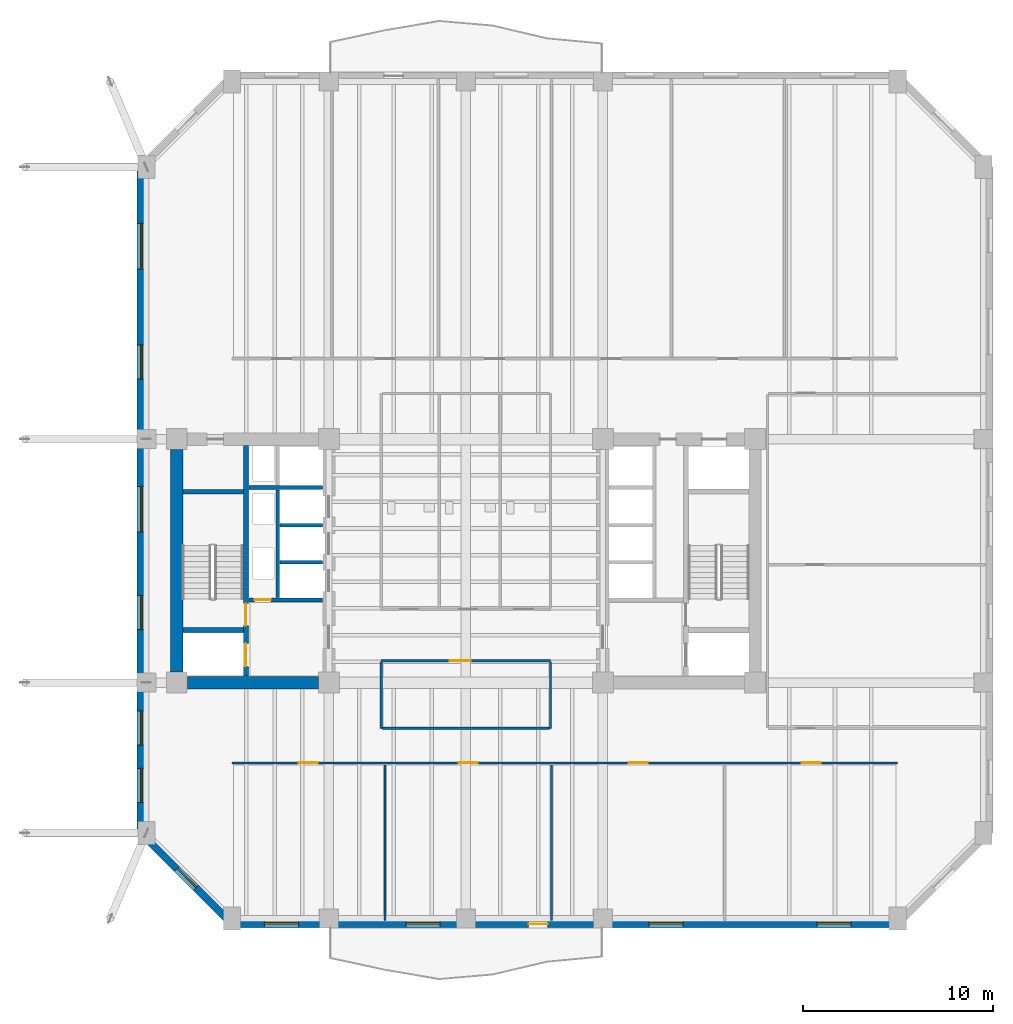
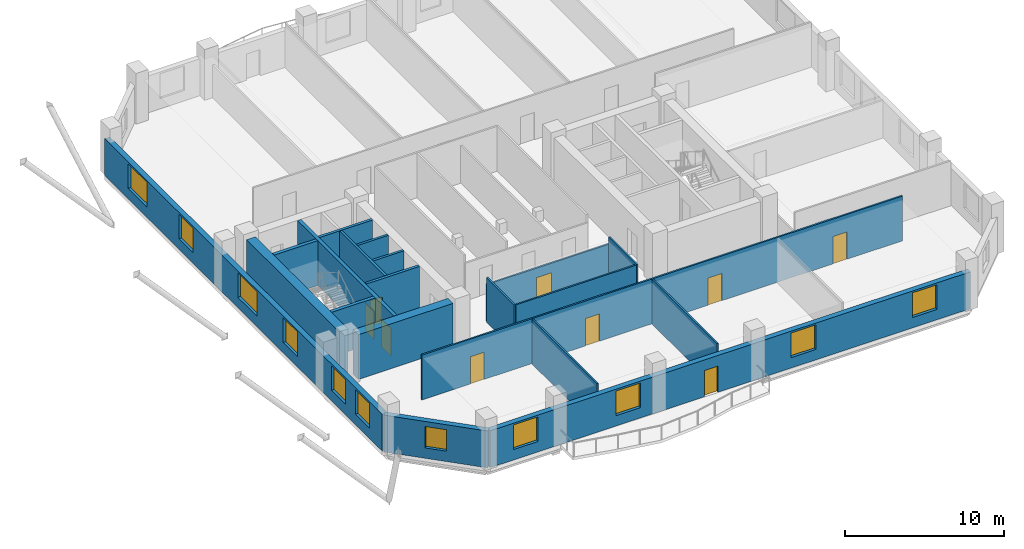
# One storey, part 5 of 12: 20 walls, 11 windows, 9 doors, 20 openings.
"""IFC4 building model written with IfcOpenShell, lengths in metres."""

from ifc_helpers import new_model, si_unit, direction, frame, frame_2d, origin, place, context, subcontext, project, spatial, rectangle, extrude, material, layer, layer_set, type_object, element, fill, save


model = new_model("IFC4")

# Units and contexts
model_context = context("Model", 3, precision=1e-05, world=origin(), true_north=direction((0.0, 1.0)))
body_context = subcontext(model_context, "Body", "Model", "MODEL_VIEW")
ifc_project = project(units=[si_unit("LENGTHUNIT", "METRE"), si_unit("AREAUNIT", "SQUARE_METRE"), si_unit("VOLUMEUNIT", "CUBIC_METRE"), si_unit("PLANEANGLEUNIT", "RADIAN"), si_unit("MASSUNIT", "GRAM", prefix="KILO")], contexts=[model_context])

# Site, building, storey
site_placement = place(None, origin())
site = spatial("IfcSite", under=ifc_project, at=site_placement, CompositionType="ELEMENT")
building_placement = place(site_placement, origin())
building = spatial("IfcBuilding", under=site, at=building_placement, Name="Kranthara Brick Stack", CompositionType="ELEMENT")
storey_placement = place(building_placement, frame((0.0, 0.0, 90.60009765625)))
storey = spatial("IfcBuildingStorey", under=building, at=storey_placement, Name="L22", CompositionType="ELEMENT", Elevation=90.60009765625)

# Wall, openings, door, windows
ifc_material_1 = material(Name="Kiln-fired clay brick masonry M15", Category="masonry")
ifc_layer_1 = layer(ifc_material_1, 0.3798828125)
ifc_layer_set_1 = layer_set([ifc_layer_1], Name="Kiln-fired clay brick masonry M15")
wall_type_1 = type_object("IfcWallType", Name="WL-BRK-PIER-380", PredefinedType="STANDARD", material=ifc_layer_set_1)
wall_1_placement = place(storey_placement, frame((50.699951171875, 8.110107421875, 0.0), z_axis=(0.0, 0.0, 1.0), x_axis=(-1.0, 0.0, 0.0)))
wall_1 = element("IfcWall", 1, at=wall_1_placement, inside=storey, type_object=wall_type_1, Name="L22 Exterior Brick Facade Wall SOUTH 1", PredefinedType="STANDARD", context=body_context, shape_type="SweptSolid", body=[
    extrude(rectangle(XDim=35.0, YDim=0.3798828125, at=frame_2d((17.5, 0.0))), origin(), (0.0, 0.0, 1.0), 2.8349609375),
])
opening_1_placement = place(wall_1_placement, frame((18.39990234375, 0.0, 0.0)))
opening_1 = element("IfcOpeningElement", 2, at=opening_1_placement, cuts=wall_1, Name="Opening D03", PredefinedType="OPENING", context=body_context, shape_type="SweptSolid", body=[
    extrude(rectangle(XDim=1.0, YDim=2.02001953125, at=frame_2d((0.5, 1.010009765625))), frame((0.0, 0.199951171875, 0.0), z_axis=(0.0, -1.0, 0.0), x_axis=(1.0, 0.0, 0.0)), (0.0, 0.0, 1.0), 0.39990234375),
])
opening_2_placement = place(wall_1_placement, frame((2.449951171875, 0.0, 0.800048828125)))
opening_2 = element("IfcOpeningElement", 3, at=opening_2_placement, cuts=wall_1, Name="Opening WN01", PredefinedType="OPENING", context=body_context, shape_type="SweptSolid", body=[
    extrude(rectangle(XDim=1.800048828125, YDim=1.89990234375, at=frame_2d((0.89990234375, 0.949951171875))), frame((0.0, 0.199951171875, 0.0), z_axis=(0.0, -1.0, 0.0), x_axis=(1.0, 0.0, 0.0)), (0.0, 0.0, 1.0), 0.39990234375),
])
opening_3_placement = place(wall_1_placement, frame((11.27490234375, 0.0, 0.800048828125)))
opening_3 = element("IfcOpeningElement", 4, at=opening_3_placement, cuts=wall_1, Name="Opening WN01", PredefinedType="OPENING", context=body_context, shape_type="SweptSolid", body=[
    extrude(rectangle(XDim=1.800048828125, YDim=1.89990234375, at=frame_2d((0.89990234375, 0.949951171875))), frame((0.0, 0.199951171875, 0.0), z_axis=(0.0, -1.0, 0.0), x_axis=(1.0, 0.0, 0.0)), (0.0, 0.0, 1.0), 0.39990234375),
])
opening_4_placement = place(wall_1_placement, frame((24.050048828125, 0.0, 0.800048828125)))
opening_4 = element("IfcOpeningElement", 5, at=opening_4_placement, cuts=wall_1, Name="Opening WN01", PredefinedType="OPENING", context=body_context, shape_type="SweptSolid", body=[
    extrude(rectangle(XDim=1.800048828125, YDim=1.89990234375, at=frame_2d((0.89990234375, 0.949951171875))), frame((0.0, 0.199951171875, 0.0), z_axis=(0.0, -1.0, 0.0), x_axis=(1.0, 0.0, 0.0)), (0.0, 0.0, 1.0), 0.39990234375),
])
opening_5_placement = place(wall_1_placement, frame((31.5, 0.0, 0.800048828125)))
opening_5 = element("IfcOpeningElement", 6, at=opening_5_placement, cuts=wall_1, Name="Opening WN01", PredefinedType="OPENING", context=body_context, shape_type="SweptSolid", body=[
    extrude(rectangle(XDim=1.800048828125, YDim=1.89990234375, at=frame_2d((0.89990234375, 0.949951171875))), frame((0.0, 0.199951171875, 0.0), z_axis=(0.0, -1.0, 0.0), x_axis=(1.0, 0.0, 0.0)), (0.0, 0.0, 1.0), 0.39990234375),
])
ifc_material_2 = material(Name="Bronze anodised aluminium and laminated glass", Category="aluminium")
door_type_1 = type_object("IfcDoorType", Name="DR-BALC-1000", OperationType="NOTDEFINED", PredefinedType="DOOR", material=ifc_material_2)
door_1_placement = place(opening_1_placement, origin())
door_1 = element("IfcDoor", 7, at=door_1_placement, inside=storey, type_object=door_type_1, Name="L22 South Balcony Terrace Door", OperationType="SINGLE_SWING_LEFT", OverallHeight=2.02001953125, OverallWidth=1.0, PredefinedType="DOOR", context=body_context, shape_type="SweptSolid", body=[
    extrude(rectangle(XDim=1.0, YDim=2.02001953125, at=frame_2d((0.5, 1.010009765625))), frame((0.0, 0.02490234375, 0.0), z_axis=(0.0, -1.0, 0.0), x_axis=(1.0, 0.0, 0.0)), (0.0, 0.0, 1.0), 0.050048828125),
])
fill(opening_1, door_1)
ifc_material_3 = material(Name="Double-glazed low-E solar control glass", Category="glass")
window_type_1 = type_object("IfcWindowType", Name="WN-OFF-1800x2000", PartitioningType="SINGLE_PANEL", PredefinedType="WINDOW", material=ifc_material_3)
window_1_placement = place(opening_2_placement, origin())
window_1 = element("IfcWindow", 8, at=window_1_placement, inside=storey, type_object=window_type_1, Name="L22 South Deep-Set Brick Window 01", OverallHeight=1.89990234375, OverallWidth=1.800048828125, PartitioningType="SINGLE_PANEL", PredefinedType="WINDOW", context=body_context, shape_type="SweptSolid", body=[
    extrude(rectangle(XDim=1.800048828125, YDim=1.89990234375, at=frame_2d((0.89990234375, 0.949951171875))), frame((0.0, -0.010009765625, 0.0), z_axis=(0.0, -1.0, 0.0), x_axis=(1.0, 0.0, 0.0)), (0.0, 0.0, 1.0), 0.06005859375),
])
fill(opening_2, window_1)
window_2_placement = place(opening_3_placement, origin())
window_2 = element("IfcWindow", 9, at=window_2_placement, inside=storey, type_object=window_type_1, Name="L22 South Deep-Set Brick Window 02", OverallHeight=1.89990234375, OverallWidth=1.800048828125, PartitioningType="SINGLE_PANEL", PredefinedType="WINDOW", context=body_context, shape_type="SweptSolid", body=[
    extrude(rectangle(XDim=1.800048828125, YDim=1.89990234375, at=frame_2d((0.89990234375, 0.949951171875))), frame((0.0, -0.010009765625, 0.0), z_axis=(0.0, -1.0, 0.0), x_axis=(1.0, 0.0, 0.0)), (0.0, 0.0, 1.0), 0.06005859375),
])
fill(opening_3, window_2)
window_3_placement = place(opening_4_placement, origin())
window_3 = element("IfcWindow", 10, at=window_3_placement, inside=storey, type_object=window_type_1, Name="L22 South Deep-Set Brick Window 03", OverallHeight=1.89990234375, OverallWidth=1.800048828125, PartitioningType="SINGLE_PANEL", PredefinedType="WINDOW", context=body_context, shape_type="SweptSolid", body=[
    extrude(rectangle(XDim=1.800048828125, YDim=1.89990234375, at=frame_2d((0.89990234375, 0.949951171875))), frame((0.0, -0.010009765625, 0.0), z_axis=(0.0, -1.0, 0.0), x_axis=(1.0, 0.0, 0.0)), (0.0, 0.0, 1.0), 0.06005859375),
])
fill(opening_4, window_3)
window_4_placement = place(opening_5_placement, origin())
window_4 = element("IfcWindow", 11, at=window_4_placement, inside=storey, type_object=window_type_1, Name="L22 South Deep-Set Brick Window 04", OverallHeight=1.89990234375, OverallWidth=1.800048828125, PartitioningType="SINGLE_PANEL", PredefinedType="WINDOW", context=body_context, shape_type="SweptSolid", body=[
    extrude(rectangle(XDim=1.800048828125, YDim=1.89990234375, at=frame_2d((0.89990234375, 0.949951171875))), frame((0.0, -0.010009765625, 0.0), z_axis=(0.0, -1.0, 0.0), x_axis=(1.0, 0.0, 0.0)), (0.0, 0.0, 1.0), 0.06005859375),
])
fill(opening_5, window_4)

# Wall, opening, window
wall_2_placement = place(storey_placement, frame((15.699951171875, 8.110107421875, 0.0), z_axis=(0.0, 0.0, 1.0), x_axis=(-0.707124801467, 0.707088760447, 0.0)))
wall_2 = element("IfcWall", 12, at=wall_2_placement, inside=storey, type_object=wall_type_1, Name="L22 Exterior Brick Facade Wall SW 1", PredefinedType="STANDARD", context=body_context, shape_type="SweptSolid", body=[
    extrude(rectangle(XDim=6.77392578125, YDim=0.3798828125, at=frame_2d((3.386962890625, 0.0))), origin(), (0.0, 0.0, 1.0), 2.8349609375),
])
opening_6_placement = place(wall_2_placement, frame((2.68701171875, 0.0, 0.800048828125)))
opening_6 = element("IfcOpeningElement", 13, at=opening_6_placement, cuts=wall_2, Name="Opening WN10", PredefinedType="OPENING", context=body_context, shape_type="SweptSolid", body=[
    extrude(rectangle(XDim=1.39990234375, YDim=1.64990234375, at=frame_2d((0.699951171875, 0.824951171875))), frame((0.0, 0.199951171875, 0.0), z_axis=(0.0, -1.0, 0.0), x_axis=(1.0, 0.0, 0.0)), (0.0, 0.0, 1.0), 0.39990234375),
])
ifc_material_4 = material(Name="Double-glazed low-E solar control glass", Category="glass")
window_type_2 = type_object("IfcWindowType", Name="WN-CHM-1400x1750", PartitioningType="SINGLE_PANEL", PredefinedType="WINDOW", material=ifc_material_4)
window_5_placement = place(opening_6_placement, origin())
window_5 = element("IfcWindow", 14, at=window_5_placement, inside=storey, type_object=window_type_2, Name="L22 SW Chamfer Corner Window", OverallHeight=1.64990234375, OverallWidth=1.39990234375, PartitioningType="SINGLE_PANEL", PredefinedType="WINDOW", context=body_context, shape_type="SweptSolid", body=[
    extrude(rectangle(XDim=1.39990234375, YDim=1.64990234375, at=frame_2d((0.699951171875, 0.824951171875))), frame((0.0, -0.010009765625, 0.0), z_axis=(0.0, -1.0, 0.0), x_axis=(1.0, 0.0, 0.0)), (0.0, 0.0, 1.0), 0.06005859375),
])
fill(opening_6, window_5)

# Wall, openings, windows
wall_3_placement = place(storey_placement, frame((10.909912109375, 12.89990234375, 0.0), z_axis=(0.0, 0.0, 1.0), x_axis=(0.0, 1.0, 0.0)))
wall_3 = element("IfcWall", 15, at=wall_3_placement, inside=storey, type_object=wall_type_1, Name="L22 Exterior Brick Facade Wall WEST 1", PredefinedType="STANDARD", context=body_context, shape_type="SweptSolid", body=[
    extrude(rectangle(XDim=35.0, YDim=0.3798828125, at=frame_2d((17.5, 0.0))), origin(), (0.0, 0.0, 1.0), 2.8349609375),
])
opening_7_placement = place(wall_3_placement, frame((1.587890625, 0.0, 0.800048828125)))
opening_7 = element("IfcOpeningElement", 16, at=opening_7_placement, cuts=wall_3, Name="Opening WN01", PredefinedType="OPENING", context=body_context, shape_type="SweptSolid", body=[
    extrude(rectangle(XDim=1.800048828125, YDim=1.89990234375, at=frame_2d((0.89990234375, 0.949951171875))), frame((0.0, 0.199951171875, 0.0), z_axis=(0.0, -1.0, 0.0), x_axis=(1.0, 0.0, 0.0)), (0.0, 0.0, 1.0), 0.39990234375),
])
opening_8_placement = place(wall_3_placement, frame((4.612060546875, 0.0, 0.800048828125)))
opening_8 = element("IfcOpeningElement", 17, at=opening_8_placement, cuts=wall_3, Name="Opening WN01", PredefinedType="OPENING", context=body_context, shape_type="SweptSolid", body=[
    extrude(rectangle(XDim=1.800048828125, YDim=1.89990234375, at=frame_2d((0.89990234375, 0.949951171875))), frame((0.0, 0.199951171875, 0.0), z_axis=(0.0, -1.0, 0.0), x_axis=(1.0, 0.0, 0.0)), (0.0, 0.0, 1.0), 0.39990234375),
])
opening_9_placement = place(wall_3_placement, frame((10.68798828125, 0.0, 0.800048828125)))
opening_9 = element("IfcOpeningElement", 18, at=opening_9_placement, cuts=wall_3, Name="Opening WN01", PredefinedType="OPENING", context=body_context, shape_type="SweptSolid", body=[
    extrude(rectangle(XDim=1.800048828125, YDim=1.89990234375, at=frame_2d((0.89990234375, 0.949951171875))), frame((0.0, 0.199951171875, 0.0), z_axis=(0.0, -1.0, 0.0), x_axis=(1.0, 0.0, 0.0)), (0.0, 0.0, 1.0), 0.39990234375),
])
opening_10_placement = place(wall_3_placement, frame((15.81201171875, 0.0, 0.800048828125)))
opening_10 = element("IfcOpeningElement", 19, at=opening_10_placement, cuts=wall_3, Name="Opening WN02", PredefinedType="OPENING", context=body_context, shape_type="SweptSolid", body=[
    extrude(rectangle(XDim=2.39990234375, YDim=1.89990234375, at=frame_2d((1.199951171875, 0.949951171875))), frame((0.0, 0.199951171875, 0.0), z_axis=(0.0, -1.0, 0.0), x_axis=(1.0, 0.0, 0.0)), (0.0, 0.0, 1.0), 0.39990234375),
])
opening_11_placement = place(wall_3_placement, frame((23.85205078125, 0.0, 0.800048828125)))
opening_11 = element("IfcOpeningElement", 20, at=opening_11_placement, cuts=wall_3, Name="Opening WN01", PredefinedType="OPENING", context=body_context, shape_type="SweptSolid", body=[
    extrude(rectangle(XDim=1.800048828125, YDim=1.89990234375, at=frame_2d((0.89990234375, 0.949951171875))), frame((0.0, 0.199951171875, 0.0), z_axis=(0.0, -1.0, 0.0), x_axis=(1.0, 0.0, 0.0)), (0.0, 0.0, 1.0), 0.39990234375),
])
opening_12_placement = place(wall_3_placement, frame((29.64794921875, 0.0, 0.800048828125)))
opening_12 = element("IfcOpeningElement", 21, at=opening_12_placement, cuts=wall_3, Name="Opening WN02", PredefinedType="OPENING", context=body_context, shape_type="SweptSolid", body=[
    extrude(rectangle(XDim=2.39990234375, YDim=1.89990234375, at=frame_2d((1.199951171875, 0.949951171875))), frame((0.0, 0.199951171875, 0.0), z_axis=(0.0, -1.0, 0.0), x_axis=(1.0, 0.0, 0.0)), (0.0, 0.0, 1.0), 0.39990234375),
])
window_6_placement = place(opening_7_placement, origin())
window_6 = element("IfcWindow", 22, at=window_6_placement, inside=storey, type_object=window_type_1, Name="L22 West Deep-Set Brick Window 01", OverallHeight=1.89990234375, OverallWidth=1.800048828125, PartitioningType="SINGLE_PANEL", PredefinedType="WINDOW", context=body_context, shape_type="SweptSolid", body=[
    extrude(rectangle(XDim=1.800048828125, YDim=1.89990234375, at=frame_2d((0.89990234375, 0.949951171875))), frame((0.0, -0.010009765625, 0.0), z_axis=(0.0, -1.0, 0.0), x_axis=(1.0, 0.0, 0.0)), (0.0, 0.0, 1.0), 0.06005859375),
])
fill(opening_7, window_6)
window_7_placement = place(opening_8_placement, origin())
window_7 = element("IfcWindow", 23, at=window_7_placement, inside=storey, type_object=window_type_1, Name="L22 West Deep-Set Brick Window 02", OverallHeight=1.89990234375, OverallWidth=1.800048828125, PartitioningType="SINGLE_PANEL", PredefinedType="WINDOW", context=body_context, shape_type="SweptSolid", body=[
    extrude(rectangle(XDim=1.800048828125, YDim=1.89990234375, at=frame_2d((0.89990234375, 0.949951171875))), frame((0.0, -0.010009765625, 0.0), z_axis=(0.0, -1.0, 0.0), x_axis=(1.0, 0.0, 0.0)), (0.0, 0.0, 1.0), 0.06005859375),
])
fill(opening_8, window_7)
window_8_placement = place(opening_9_placement, origin())
window_8 = element("IfcWindow", 24, at=window_8_placement, inside=storey, type_object=window_type_1, Name="L22 West Deep-Set Brick Window 03", OverallHeight=1.89990234375, OverallWidth=1.800048828125, PartitioningType="SINGLE_PANEL", PredefinedType="WINDOW", context=body_context, shape_type="SweptSolid", body=[
    extrude(rectangle(XDim=1.800048828125, YDim=1.89990234375, at=frame_2d((0.89990234375, 0.949951171875))), frame((0.0, -0.010009765625, 0.0), z_axis=(0.0, -1.0, 0.0), x_axis=(1.0, 0.0, 0.0)), (0.0, 0.0, 1.0), 0.06005859375),
])
fill(opening_9, window_8)
window_9_placement = place(opening_11_placement, origin())
window_9 = element("IfcWindow", 25, at=window_9_placement, inside=storey, type_object=window_type_1, Name="L22 West Deep-Set Brick Window 05", OverallHeight=1.89990234375, OverallWidth=1.800048828125, PartitioningType="SINGLE_PANEL", PredefinedType="WINDOW", context=body_context, shape_type="SweptSolid", body=[
    extrude(rectangle(XDim=1.800048828125, YDim=1.89990234375, at=frame_2d((0.89990234375, 0.949951171875))), frame((0.0, -0.010009765625, 0.0), z_axis=(0.0, -1.0, 0.0), x_axis=(1.0, 0.0, 0.0)), (0.0, 0.0, 1.0), 0.06005859375),
])
fill(opening_11, window_9)
ifc_material_5 = material(Name="Double-glazed low-E solar control glass", Category="glass")
window_type_3 = type_object("IfcWindowType", Name="WN-OFF-2400x2000", PartitioningType="DOUBLE_PANEL_VERTICAL", PredefinedType="WINDOW", material=ifc_material_5)
window_10_placement = place(opening_10_placement, origin())
window_10 = element("IfcWindow", 26, at=window_10_placement, inside=storey, type_object=window_type_3, Name="L22 West Deep-Set Brick Window 04", OverallHeight=1.89990234375, OverallWidth=2.39990234375, PartitioningType="SINGLE_PANEL", PredefinedType="WINDOW", context=body_context, shape_type="SweptSolid", body=[
    extrude(rectangle(XDim=2.39990234375, YDim=1.89990234375, at=frame_2d((1.199951171875, 0.949951171875))), frame((0.0, -0.010009765625, 0.0), z_axis=(0.0, -1.0, 0.0), x_axis=(1.0, 0.0, 0.0)), (0.0, 0.0, 1.0), 0.06005859375),
])
fill(opening_10, window_10)
window_11_placement = place(opening_12_placement, origin())
window_11 = element("IfcWindow", 27, at=window_11_placement, inside=storey, type_object=window_type_3, Name="L22 West Deep-Set Brick Window 06", OverallHeight=1.89990234375, OverallWidth=2.39990234375, PartitioningType="SINGLE_PANEL", PredefinedType="WINDOW", context=body_context, shape_type="SweptSolid", body=[
    extrude(rectangle(XDim=2.39990234375, YDim=1.89990234375, at=frame_2d((1.199951171875, 0.949951171875))), frame((0.0, -0.010009765625, 0.0), z_axis=(0.0, -1.0, 0.0), x_axis=(1.0, 0.0, 0.0)), (0.0, 0.0, 1.0), 0.06005859375),
])
fill(opening_12, window_11)

# Wall, openings, doors
ifc_material_6 = material(Name="Concrete C50/60", Category="concrete")
ifc_layer_2 = layer(ifc_material_6, 0.25)
ifc_layer_set_2 = layer_set([ifc_layer_2], Name="Concrete C50/60")
wall_type_2 = type_object("IfcWallType", Name="WL-CORE-250", PredefinedType="SHEAR", material=ifc_layer_set_2)
wall_4_placement = place(storey_placement, frame((16.43505859375, 21.135009765625, 0.0), z_axis=(0.0, 0.0, 1.0), x_axis=(0.0, 1.0, 0.0)))
wall_4 = element("IfcWall", 28, at=wall_4_placement, inside=storey, type_object=wall_type_2, Name="L22 West Core Stair Bearing Spine Wall", PredefinedType="SHEAR", context=body_context, shape_type="SweptSolid", body=[
    extrude(rectangle(XDim=12.1298828125, YDim=0.25, at=frame_2d((6.06494140625, 0.0))), origin(), (0.0, 0.0, 1.0), 3.449951171875),
])
opening_13_placement = place(wall_4_placement, frame((0.514892578125, 0.0, 0.0)))
opening_13 = element("IfcOpeningElement", 29, at=opening_13_placement, cuts=wall_4, Name="Opening LD01", PredefinedType="OPENING", context=body_context, shape_type="SweptSolid", body=[
    extrude(rectangle(XDim=1.199951171875, YDim=2.14990234375, at=frame_2d((0.60009765625, 1.074951171875))), frame((0.0, 0.135009765625, 0.0), z_axis=(0.0, -1.0, 0.0), x_axis=(1.0, 0.0, 0.0)), (0.0, 0.0, 1.0), 0.27001953125),
])
opening_14_placement = place(wall_4_placement, frame((2.6650390625, 0.0, 0.0)))
opening_14 = element("IfcOpeningElement", 30, at=opening_14_placement, cuts=wall_4, Name="Opening D05", PredefinedType="OPENING", context=body_context, shape_type="SweptSolid", body=[
    extrude(rectangle(XDim=1.14990234375, YDim=2.14990234375, at=frame_2d((0.574951171875, 1.074951171875))), frame((0.0, 0.135009765625, 0.0), z_axis=(0.0, -1.0, 0.0), x_axis=(1.0, 0.0, 0.0)), (0.0, 0.0, 1.0), 0.27001953125),
])
ifc_material_7 = material(Name="Stainless steel sliding landing door", Category="steel")
door_type_2 = type_object("IfcDoorType", Name="DR-LD-FF1200", OperationType="DOUBLE_DOOR_SLIDING", PredefinedType="DOOR", material=ifc_material_7)
door_2_placement = place(opening_13_placement, origin())
door_2 = element("IfcDoor", 31, at=door_2_placement, inside=storey, type_object=door_type_2, Name="L22 Firefighting Lift FF-01 Landing Door", OperationType="DOUBLE_DOOR_SLIDING", OverallHeight=2.14990234375, OverallWidth=1.199951171875, PredefinedType="DOOR", context=body_context, shape_type="SweptSolid", body=[
    extrude(rectangle(XDim=1.199951171875, YDim=2.14990234375, at=frame_2d((0.60009765625, 1.074951171875))), frame((0.0, 0.02490234375, 0.0), z_axis=(0.0, -1.0, 0.0), x_axis=(1.0, 0.0, 0.0)), (0.0, 0.0, 1.0), 0.050048828125),
])
fill(opening_13, door_2)
ifc_material_8 = material(Name="Solid-core hardwood timber leaf in steel frame", Category="steel")
door_type_3 = type_object("IfcDoorType", Name="DR-ST-1150", OperationType="NOTDEFINED", PredefinedType="DOOR", material=ifc_material_8)
door_3_placement = place(opening_14_placement, origin())
door_3 = element("IfcDoor", 32, at=door_3_placement, inside=storey, type_object=door_type_3, Name="L22 Exit Stair ST01 Door", OperationType="SINGLE_SWING_RIGHT", OverallHeight=2.14990234375, OverallWidth=1.14990234375, PredefinedType="DOOR", context=body_context, shape_type="SweptSolid", body=[
    extrude(rectangle(XDim=1.14990234375, YDim=2.14990234375, at=frame_2d((0.574951171875, 1.074951171875))), frame((0.0, 0.02490234375, 0.0), z_axis=(0.0, -1.0, 0.0), x_axis=(1.0, 0.0, 0.0)), (0.0, 0.0, 1.0), 0.050048828125),
])
fill(opening_14, door_3)

# Walls
for number, where, z_axis, x_axis, name in (
    (33, (13.135009765625, 23.570068359375, 0.0), (0.0, 0.0, 1.0), (1.0, 0.0, 0.0), "L22 West Stairwell Bearing Wall WFF"),
    (34, (13.135009765625, 30.830078125, 0.0), (0.0, 0.0, 1.0), (1.0, 0.0, 0.0), "L22 West Stairwell Bearing Wall WST"),
):
    element("IfcWall", number, at=place(storey_placement, frame(where, z_axis=z_axis, x_axis=x_axis)), inside=storey, type_object=wall_type_2, Name=name, PredefinedType="SHEAR", context=body_context, shape_type="SweptSolid", body=[
        extrude(rectangle(XDim=3.175048828125, YDim=0.25, at=frame_2d((1.58740234375, 0.0))), origin(), (0.0, 0.0, 1.0), 3.449951171875),
    ])
ifc_material_9 = material(Name="Concrete C60/75", Category="concrete")
ifc_layer_3 = layer(ifc_material_9, 0.64990234375)
ifc_layer_set_3 = layer_set([ifc_layer_3], Name="Concrete C60/75")
wall_type_3 = type_object("IfcWallType", Name="WL-CORE-650", PredefinedType="SHEAR", material=ifc_layer_set_3)
wall_5_placement = place(storey_placement, frame((12.800048828125, 21.35498046875, 0.0), z_axis=(0.0, 0.0, 1.0), x_axis=(0.0, 1.0, 0.0)))
element("IfcWall", 35, at=wall_5_placement, inside=storey, type_object=wall_type_3, Name="L22 West Core Shear Wall West", PredefinedType="SHEAR", context=body_context, shape_type="SweptSolid", body=[
    extrude(rectangle(XDim=11.68994140625, YDim=0.64990234375, at=frame_2d((5.844970703125, 0.0))), origin(), (0.0, 0.0, 1.0), 3.449951171875),
])
wall_6_placement = place(storey_placement, frame((13.35498046875, 20.800048828125, 0.0), z_axis=(0.0, 0.0, 1.0), x_axis=(1.0, 0.0, 0.0)))
element("IfcWall", 36, at=wall_6_placement, inside=storey, type_object=wall_type_3, Name="L22 West Core Shear Wall South", PredefinedType="SHEAR", context=body_context, shape_type="SweptSolid", body=[
    extrude(rectangle(XDim=6.89013671875, YDim=0.64990234375, at=frame_2d((3.445068359375, 0.0))), origin(), (0.0, 0.0, 1.0), 3.449951171875),
])

# Wall, opening, door
ifc_material_10 = material(Name="Acoustic gypsum plasterboard partition", Category="other")
ifc_layer_4 = layer(ifc_material_10, 0.1201171875)
ifc_layer_set_4 = layer_set([ifc_layer_4], Name="Acoustic gypsum plasterboard partition")
wall_type_4 = type_object("IfcWallType", Name="WL-PART-120", PredefinedType="PARTITIONING", material=ifc_layer_set_4)
wall_7_placement = place(storey_placement, frame((23.550048828125, 21.949951171875, 0.0), z_axis=(0.0, 0.0, 1.0), x_axis=(1.0, 0.0, 0.0)))
wall_7 = element("IfcWall", 37, at=wall_7_placement, inside=storey, type_object=wall_type_4, Name="L22 Interior Partition 007", PredefinedType="PARTITIONING", context=body_context, shape_type="SweptSolid", body=[
    extrude(rectangle(XDim=8.89990234375, YDim=0.1201171875, at=frame_2d((4.449951171875, 0.0))), origin(), (0.0, 0.0, 1.0), 2.885009765625),
])
opening_15_placement = place(wall_7_placement, frame((3.60009765625, 0.0, 0.0)))
opening_15 = element("IfcOpeningElement", 38, at=opening_15_placement, cuts=wall_7, Name="Opening D11", PredefinedType="OPENING", context=body_context, shape_type="SweptSolid", body=[
    extrude(rectangle(XDim=1.10009765625, YDim=2.14990234375, at=frame_2d((0.550048828125, 1.074951171875))), frame((0.0, 0.070068359375, 0.0), z_axis=(0.0, -1.0, 0.0), x_axis=(1.0, 0.0, 0.0)), (0.0, 0.0, 1.0), 0.14013671875),
])
ifc_material_11 = material(Name="Solid-core hardwood timber leaf in steel frame", Category="steel")
door_type_4 = type_object("IfcDoorType", Name="DR-INT-1100", OperationType="NOTDEFINED", PredefinedType="DOOR", material=ifc_material_11)
door_4_placement = place(opening_15_placement, origin())
door_4 = element("IfcDoor", 39, at=door_4_placement, inside=storey, type_object=door_type_4, Name="L22 Internal Briefing Room 04", OperationType="SINGLE_SWING_RIGHT", OverallHeight=2.14990234375, OverallWidth=1.10009765625, PredefinedType="DOOR", context=body_context, shape_type="SweptSolid", body=[
    extrude(rectangle(XDim=1.10009765625, YDim=2.14990234375, at=frame_2d((0.550048828125, 1.074951171875))), frame((0.0, 0.02490234375, 0.0), z_axis=(0.0, -1.0, 0.0), x_axis=(1.0, 0.0, 0.0)), (0.0, 0.0, 1.0), 0.050048828125),
])
fill(opening_15, door_4)

# Walls
for number, where, z_axis, x_axis, name in (
    (40, (23.550048828125, 18.39990234375, 0.0), (0.0, 0.0, 1.0), (0.0, 1.0, 0.0), "L22 Interior Partition 008"),
    (41, (32.449951171875, 18.39990234375, 0.0), (0.0, 0.0, 1.0), (0.0, 1.0, 0.0), "L22 Interior Partition 009"),
):
    element("IfcWall", number, at=place(storey_placement, frame(where, z_axis=z_axis, x_axis=x_axis)), inside=storey, type_object=wall_type_4, Name=name, PredefinedType="PARTITIONING", context=body_context, shape_type="SweptSolid", body=[
        extrude(rectangle(XDim=3.485107421875, YDim=0.1201171875, at=frame_2d((1.74267578125, 0.0))), origin(), (0.0, 0.0, 1.0), 3.449951171875),
    ])
wall_8_placement = place(storey_placement, frame((23.614990234375, 18.39990234375, 0.0), z_axis=(0.0, 0.0, 1.0), x_axis=(1.0, 0.0, 0.0)))
element("IfcWall", 42, at=wall_8_placement, inside=storey, type_object=wall_type_4, Name="L22 Interior Partition 010", PredefinedType="PARTITIONING", context=body_context, shape_type="SweptSolid", body=[
    extrude(rectangle(XDim=8.77001953125, YDim=0.1201171875, at=frame_2d((4.385009765625, 0.0))), origin(), (0.0, 0.0, 1.0), 3.449951171875),
])

# Wall, openings, doors
wall_9_placement = place(storey_placement, frame((15.699951171875, 16.580078125, 0.0), z_axis=(0.0, 0.0, 1.0), x_axis=(1.0, 0.0, 0.0)))
wall_9 = element("IfcWall", 43, at=wall_9_placement, inside=storey, type_object=wall_type_4, Name="L22 Interior Partition 011", PredefinedType="PARTITIONING", context=body_context, shape_type="SweptSolid", body=[
    extrude(rectangle(XDim=35.0, YDim=0.1201171875, at=frame_2d((17.5, 0.0))), origin(), (0.0, 0.0, 1.0), 3.449951171875),
])
opening_16_placement = place(wall_9_placement, frame((3.52490234375, 0.0, 0.0)))
opening_16 = element("IfcOpeningElement", 44, at=opening_16_placement, cuts=wall_9, Name="Opening D13", PredefinedType="OPENING", context=body_context, shape_type="SweptSolid", body=[
    extrude(rectangle(XDim=1.0, YDim=2.10009765625, at=frame_2d((0.5, 1.050048828125))), frame((0.0, 0.070068359375, 0.0), z_axis=(0.0, -1.0, 0.0), x_axis=(1.0, 0.0, 0.0)), (0.0, 0.0, 1.0), 0.14013671875),
])
opening_17_placement = place(wall_9_placement, frame((11.925048828125, 0.0, 0.0)))
opening_17 = element("IfcOpeningElement", 45, at=opening_17_placement, cuts=wall_9, Name="Opening D13", PredefinedType="OPENING", context=body_context, shape_type="SweptSolid", body=[
    extrude(rectangle(XDim=1.0, YDim=2.10009765625, at=frame_2d((0.5, 1.050048828125))), frame((0.0, 0.070068359375, 0.0), z_axis=(0.0, -1.0, 0.0), x_axis=(1.0, 0.0, 0.0)), (0.0, 0.0, 1.0), 0.14013671875),
])
opening_18_placement = place(wall_9_placement, frame((20.85009765625, 0.0, 0.0)))
opening_18 = element("IfcOpeningElement", 46, at=opening_18_placement, cuts=wall_9, Name="Opening D13", PredefinedType="OPENING", context=body_context, shape_type="SweptSolid", body=[
    extrude(rectangle(XDim=1.0, YDim=2.10009765625, at=frame_2d((0.5, 1.050048828125))), frame((0.0, 0.070068359375, 0.0), z_axis=(0.0, -1.0, 0.0), x_axis=(1.0, 0.0, 0.0)), (0.0, 0.0, 1.0), 0.14013671875),
])
opening_19_placement = place(wall_9_placement, frame((29.949951171875, 0.0, 0.0)))
opening_19 = element("IfcOpeningElement", 47, at=opening_19_placement, cuts=wall_9, Name="Opening D13", PredefinedType="OPENING", context=body_context, shape_type="SweptSolid", body=[
    extrude(rectangle(XDim=1.0, YDim=2.10009765625, at=frame_2d((0.5, 1.050048828125))), frame((0.0, 0.070068359375, 0.0), z_axis=(0.0, -1.0, 0.0), x_axis=(1.0, 0.0, 0.0)), (0.0, 0.0, 1.0), 0.14013671875),
])
ifc_material_12 = material(Name="Solid-core hardwood timber leaf in steel frame", Category="steel")
door_type_5 = type_object("IfcDoorType", Name="DR-INT-1000", OperationType="NOTDEFINED", PredefinedType="DOOR", material=ifc_material_12)
door_5_placement = place(opening_16_placement, origin())
door_5 = element("IfcDoor", 48, at=door_5_placement, inside=storey, type_object=door_type_5, Name="L22 Meeting Room 05", OperationType="SINGLE_SWING_LEFT", OverallHeight=2.10009765625, OverallWidth=1.0, PredefinedType="DOOR", context=body_context, shape_type="SweptSolid", body=[
    extrude(rectangle(XDim=1.0, YDim=2.10009765625, at=frame_2d((0.5, 1.050048828125))), frame((0.0, 0.02490234375, 0.0), z_axis=(0.0, -1.0, 0.0), x_axis=(1.0, 0.0, 0.0)), (0.0, 0.0, 1.0), 0.050048828125),
])
fill(opening_16, door_5)
door_6_placement = place(opening_17_placement, origin())
door_6 = element("IfcDoor", 49, at=door_6_placement, inside=storey, type_object=door_type_5, Name="L22 Meeting Room 06", OperationType="SINGLE_SWING_RIGHT", OverallHeight=2.10009765625, OverallWidth=1.0, PredefinedType="DOOR", context=body_context, shape_type="SweptSolid", body=[
    extrude(rectangle(XDim=1.0, YDim=2.10009765625, at=frame_2d((0.5, 1.050048828125))), frame((0.0, 0.02490234375, 0.0), z_axis=(0.0, -1.0, 0.0), x_axis=(1.0, 0.0, 0.0)), (0.0, 0.0, 1.0), 0.050048828125),
])
fill(opening_17, door_6)
door_7_placement = place(opening_18_placement, origin())
door_7 = element("IfcDoor", 50, at=door_7_placement, inside=storey, type_object=door_type_5, Name="L22 Boardroom 07", OperationType="SINGLE_SWING_LEFT", OverallHeight=2.10009765625, OverallWidth=1.0, PredefinedType="DOOR", context=body_context, shape_type="SweptSolid", body=[
    extrude(rectangle(XDim=1.0, YDim=2.10009765625, at=frame_2d((0.5, 1.050048828125))), frame((0.0, 0.02490234375, 0.0), z_axis=(0.0, -1.0, 0.0), x_axis=(1.0, 0.0, 0.0)), (0.0, 0.0, 1.0), 0.050048828125),
])
fill(opening_18, door_7)
door_8_placement = place(opening_19_placement, origin())
door_8 = element("IfcDoor", 51, at=door_8_placement, inside=storey, type_object=door_type_5, Name="L22 Collaboration Lounge 08", OperationType="SINGLE_SWING_RIGHT", OverallHeight=2.10009765625, OverallWidth=1.0, PredefinedType="DOOR", context=body_context, shape_type="SweptSolid", body=[
    extrude(rectangle(XDim=1.0, YDim=2.10009765625, at=frame_2d((0.5, 1.050048828125))), frame((0.0, 0.02490234375, 0.0), z_axis=(0.0, -1.0, 0.0), x_axis=(1.0, 0.0, 0.0)), (0.0, 0.0, 1.0), 0.050048828125),
])
fill(opening_19, door_8)

# Walls
for number, where, z_axis, x_axis, name in (
    (52, (23.75, 8.304931640625, 0.0), (0.0, 0.0, 1.0), (0.0, 1.0, 0.0), "L22 Interior Partition 012"),
    (53, (32.5, 8.304931640625, 0.0), (0.0, 0.0, 1.0), (0.0, 1.0, 0.0), "L22 Interior Partition 013"),
):
    element("IfcWall", number, at=place(storey_placement, frame(where, z_axis=z_axis, x_axis=x_axis)), inside=storey, type_object=wall_type_4, Name=name, PredefinedType="PARTITIONING", context=body_context, shape_type="SweptSolid", body=[
        extrude(rectangle(XDim=8.175048828125, YDim=0.1201171875, at=frame_2d((4.08740234375, 0.0))), origin(), (0.0, 0.0, 1.0), 3.449951171875),
    ])
ifc_material_13 = material(Name="Gypsum plasterboard on acoustic twin stud", Category="other")
ifc_layer_5 = layer(ifc_material_13, 0.179931640625)
ifc_layer_set_5 = layer_set([ifc_layer_5], Name="Gypsum plasterboard on acoustic twin stud")
wall_type_5 = type_object("IfcWallType", Name="WL-PART-180", PredefinedType="PARTITIONING", material=ifc_layer_set_5)
wall_10_placement = place(storey_placement, frame((18.1201171875, 25.27001953125, 0.0), z_axis=(0.0, 0.0, 1.0), x_axis=(0.0, 1.0, 0.0)))
element("IfcWall", 54, at=wall_10_placement, inside=storey, type_object=wall_type_5, Name="L22 West Hoistway Wall WBK", PredefinedType="PARTITIONING", context=body_context, shape_type="SweptSolid", body=[
    extrude(rectangle(XDim=5.659912109375, YDim=0.179931640625, at=frame_2d((2.830078125, 0.0))), origin(), (0.0, 0.0, 1.0), 3.449951171875),
])
for number, where, z_axis, x_axis, name in (
    (55, (18.219970703125, 27.1201171875, 0.0), (0.0, 0.0, 1.0), (1.0, 0.0, 0.0), "L22 West Hoistway Wall WH1"),
    (56, (18.219970703125, 29.080078125, 0.0), (0.0, 0.0, 1.0), (1.0, 0.0, 0.0), "L22 West Hoistway Wall WH2"),
):
    element("IfcWall", number, at=place(storey_placement, frame(where, z_axis=z_axis, x_axis=x_axis)), inside=storey, type_object=wall_type_5, Name=name, PredefinedType="PARTITIONING", context=body_context, shape_type="SweptSolid", body=[
        extrude(rectangle(XDim=2.2451171875, YDim=0.179931640625, at=frame_2d((1.12255859375, 0.0))), origin(), (0.0, 0.0, 1.0), 3.449951171875),
    ])

# Wall, opening, door
ifc_material_14 = material(Name="Concrete C40/50", Category="concrete")
ifc_layer_6 = layer(ifc_material_14, 0.199951171875)
ifc_layer_set_6 = layer_set([ifc_layer_6], Name="Concrete C40/50")
wall_type_6 = type_object("IfcWallType", Name="WL-PART-200", PredefinedType="SOLIDWALL", material=ifc_layer_set_6)
wall_11_placement = place(storey_placement, frame((16.60009765625, 25.14990234375, 0.0), z_axis=(0.0, 0.0, 1.0), x_axis=(1.0, 0.0, 0.0)))
wall_11 = element("IfcWall", 57, at=wall_11_placement, inside=storey, type_object=wall_type_6, Name="L22 West Core Cross Wall WFL", PredefinedType="SOLIDWALL", context=body_context, shape_type="SweptSolid", body=[
    extrude(rectangle(XDim=3.864990234375, YDim=0.199951171875, at=frame_2d((1.9326171875, 0.0))), origin(), (0.0, 0.0, 1.0), 3.449951171875),
])
opening_20_placement = place(wall_11_placement, frame((0.300048828125, 0.0, 0.0)))
opening_20 = element("IfcOpeningElement", 58, at=opening_20_placement, cuts=wall_11, Name="Opening D10", PredefinedType="OPENING", context=body_context, shape_type="SweptSolid", body=[
    extrude(rectangle(XDim=0.85009765625, YDim=2.02001953125, at=frame_2d((0.425048828125, 1.010009765625))), frame((0.0, 0.10986328125, 0.0), z_axis=(0.0, -1.0, 0.0), x_axis=(1.0, 0.0, 0.0)), (0.0, 0.0, 1.0), 0.219970703125),
])
ifc_material_15 = material(Name="Solid-core hardwood timber leaf in steel frame", Category="steel")
door_type_6 = type_object("IfcDoorType", Name="DR-RSR-850", OperationType="NOTDEFINED", PredefinedType="DOOR", material=ifc_material_15)
door_9_placement = place(opening_20_placement, origin())
door_9 = element("IfcDoor", 59, at=door_9_placement, inside=storey, type_object=door_type_6, Name="L22 Mechanical Riser Access Door", OperationType="SINGLE_SWING_LEFT", OverallHeight=2.02001953125, OverallWidth=0.85009765625, PredefinedType="DOOR", context=body_context, shape_type="SweptSolid", body=[
    extrude(rectangle(XDim=0.85009765625, YDim=2.02001953125, at=frame_2d((0.425048828125, 1.010009765625))), frame((0.0, 0.02490234375, 0.0), z_axis=(0.0, -1.0, 0.0), x_axis=(1.0, 0.0, 0.0)), (0.0, 0.0, 1.0), 0.050048828125),
])
fill(opening_20, door_9)

# Wall
wall_12_placement = place(storey_placement, frame((16.60009765625, 31.050048828125, 0.0), z_axis=(0.0, 0.0, 1.0), x_axis=(1.0, 0.0, 0.0)))
element("IfcWall", 60, at=wall_12_placement, inside=storey, type_object=wall_type_6, Name="L22 West Core Cross Wall WH4", PredefinedType="SOLIDWALL", context=body_context, shape_type="SweptSolid", body=[
    extrude(rectangle(XDim=3.849853515625, YDim=0.199951171875, at=frame_2d((1.9248046875, 0.0))), origin(), (0.0, 0.0, 1.0), 3.449951171875),
])

save(model, "model.ifc")
